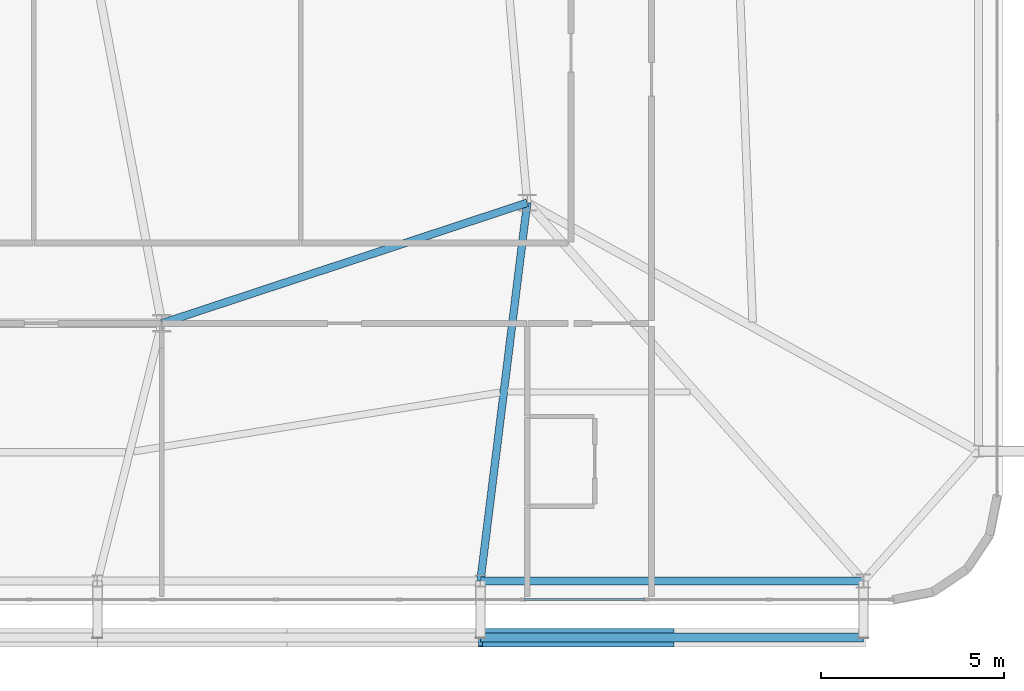
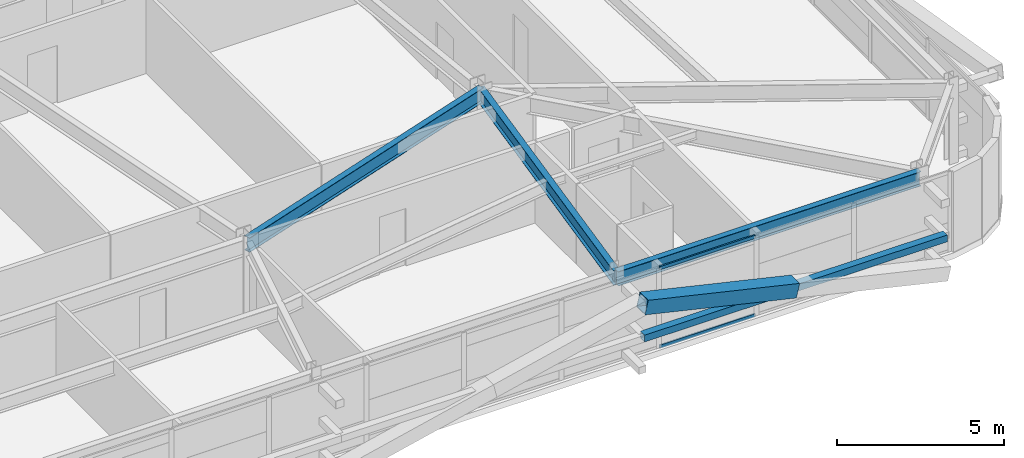
# One storey, part 22 of 58: 4 members, 3 beams, 1 element without a shape of its own.
"""IFC4 building model written with IfcOpenShell, lengths in metres."""

from ifc_helpers import new_model, si_unit, direction, frame, origin, origin_2d, place, context, subcontext, project, spatial, hollow_rectangle, i_section, extrude, source, transform, mapped, material, layer, layer_set, material_profile, profile_set, type_object, element, aggregate, save


model = new_model("IFC4")

# Units and contexts
model_context = context("Model", 3, precision=1e-05, world=origin(), true_north=direction((0.0, 1.0)))
body_context = subcontext(model_context, "Body", "Model", "MODEL_VIEW")
ifc_project = project(units=[si_unit("LENGTHUNIT", "METRE"), si_unit("AREAUNIT", "SQUARE_METRE"), si_unit("VOLUMEUNIT", "CUBIC_METRE"), si_unit("PLANEANGLEUNIT", "RADIAN"), si_unit("MASSUNIT", "GRAM", prefix="KILO")], contexts=[model_context])

# Site, building, storey
site_placement = place(None, origin())
site = spatial("IfcSite", under=ifc_project, at=site_placement, CompositionType="ELEMENT")
building_placement = place(site_placement, origin())
building = spatial("IfcBuilding", under=site, at=building_placement, Name="Taldren Reach Tower", CompositionType="ELEMENT")
storey_placement = place(building_placement, frame((0.0, 0.0, 32.550048828125)))
storey = spatial("IfcBuildingStorey", under=building, at=storey_placement, Name="L09", CompositionType="ELEMENT", Elevation=32.550048828125)

# Beams
ifc_material_1 = material(Name="Steel Gr 350 (350PLUS)", Category="steel")
ifc_material_profile_1 = material_profile(ifc_material_1, i_section(OverallWidth=0.208984375, OverallDepth=0.532958984375, WebThickness=0.01025390625, FlangeThickness=0.015625, at=origin_2d()), Name="530UB92.4")
ifc_profile_set_1 = profile_set([ifc_material_profile_1], Name="Steel Gr 350 (350PLUS)")
beam_type_1 = type_object("IfcBeamType", Name="BM-UB530A", PredefinedType="BEAM", material=ifc_profile_set_1)
shared_shape_1 = source(origin(), body_context, "Body", "SweptSolid", [
    extrude(i_section(OverallWidth=0.208984375, OverallDepth=0.532958984375, WebThickness=0.01025390625, FlangeThickness=0.015625, at=origin_2d()), origin(), (0.0, 0.0, 1.0), 10.530517578125),
])
beam_1_placement = place(storey_placement, frame((42.0, 9.199951171875, 2.663330078125), z_axis=(0.949627269203, 0.313381635689, 0.0), x_axis=(-0.313381635689, 0.949627269203, 0.0)))
element("IfcBeam", 1, at=beam_1_placement, inside=storey, type_object=beam_type_1, Name="Core-spine girder L09-SP12", PredefinedType="BEAM", context=body_context, shape_type="MappedRepresentation", body=[
    mapped(shared_shape_1, transform((0.0, 0.0, 0.0), scale=1.0)),
])
ifc_material_profile_2 = material_profile(ifc_material_1, i_section(OverallWidth=0.208984375, OverallDepth=0.528076171875, WebThickness=0.009521484375, FlangeThickness=0.01318359375, at=origin_2d()), Name="530UB82.0")
ifc_profile_set_2 = profile_set([ifc_material_profile_2], Name="Steel Gr 350 (350PLUS)")
beam_type_2 = type_object("IfcBeamType", Name="SP-UB530B", PredefinedType="SPANDREL", material=ifc_profile_set_2)
shared_shape_2 = source(origin(), body_context, "Body", "SweptSolid", [
    extrude(i_section(OverallWidth=0.208984375, OverallDepth=0.528076171875, WebThickness=0.009521484375, FlangeThickness=0.01318359375, at=origin_2d()), origin(), (0.0, 0.0, 1.0), 10.47998046875),
])
beam_2_placement = place(storey_placement, frame((50.719970703125, 2.14990234375, 2.666015625), z_axis=(1.0, 0.0, 0.0), x_axis=(0.0, 1.0, 0.0)))
element("IfcBeam", 2, at=beam_2_placement, inside=storey, type_object=beam_type_2, Name="Perimeter spandrel B1 S5-S6 L09", PredefinedType="SPANDREL", context=body_context, shape_type="MappedRepresentation", body=[
    mapped(shared_shape_2, transform((0.0, 0.0, 0.0), scale=1.0)),
])
shared_shape_3 = source(origin(), body_context, "Body", "SweptSolid", [
    extrude(i_section(OverallWidth=0.208984375, OverallDepth=0.532958984375, WebThickness=0.01025390625, FlangeThickness=0.015625, at=origin_2d()), origin(), (0.0, 0.0, 1.0), 10.428955078125),
])
beam_3_placement = place(storey_placement, frame((52.0, 12.5, 2.663330078125), z_axis=(-0.122738080664, -0.992439098159, 0.0), x_axis=(0.992439098159, -0.122738080664, 0.0)))
element("IfcBeam", 3, at=beam_3_placement, inside=storey, type_object=beam_type_1, Name="Primary floor girder B1-S5 L09", PredefinedType="BEAM", context=body_context, shape_type="MappedRepresentation", body=[
    mapped(shared_shape_3, transform((0.0, 0.0, 0.0), scale=1.0)),
])

# Members
ifc_material_2 = material(Name="Steel Gr 450 (C450L0)", Category="steel")
ifc_material_profile_3 = material_profile(ifc_material_2, hollow_rectangle(XDim=0.510009765625, YDim=0.510009765625, WallThickness=0.02001953125, at=origin_2d()), Name="510x510x20.0SHS")
ifc_profile_set_3 = profile_set([ifc_material_profile_3], Name="Steel Gr 450 (C450L0)")
member_type_1 = type_object("IfcMemberType", Name="MB-EXO508", PredefinedType="BRACE", material=ifc_profile_set_3)
shared_shape_4 = source(origin(), body_context, "Body", "SweptSolid", [
    extrude(hollow_rectangle(XDim=0.510009765625, YDim=0.510009765625, WallThickness=0.02001953125, at=origin_2d()), origin(), (0.0, 0.0, 1.0), 5.37890625),
])
member_1_placement = place(storey_placement, frame((55.9599609375, 0.60009765625, 1.43505859375), z_axis=(-0.974161966843, 0.0, 0.225850531007), x_axis=(0.0, -1.0, 0.0)))
element("IfcMember", 4, at=member_1_placement, inside=storey, type_object=member_type_1, Name="Exoskeleton Diagrid Brace B1-S5 L09", PredefinedType="BRACE", context=body_context, shape_type="MappedRepresentation", body=[
    mapped(shared_shape_4, transform((0.0, 0.0, 0.0), scale=1.0)),
])
ifc_material_3 = material(Name="Steel Gr 350 (C350L0)", Category="steel")
ifc_material_profile_4 = material_profile(ifc_material_3, hollow_rectangle(XDim=0.25, YDim=0.25, WallThickness=0.010009765625, at=origin_2d()), Name="250x250x10.0SHS")
ifc_profile_set_4 = profile_set([ifc_material_profile_4], Name="Steel Gr 350 (C350L0)")
member_type_2 = type_object("IfcMemberType", Name="MB-POST250", PredefinedType="POST", material=ifc_profile_set_4)
shared_shape_5 = source(origin(), body_context, "Body", "SweptSolid", [
    extrude(hollow_rectangle(XDim=0.25, YDim=0.25, WallThickness=0.010009765625, at=origin_2d()), origin(), (0.0, 0.0, 1.0), 10.47998046875),
])
member_2_placement = place(storey_placement, frame((50.719970703125, 0.60009765625, 1.43505859375), z_axis=(1.0, 0.0, 0.0), x_axis=(0.0, 1.0, 0.0)))
element("IfcMember", 5, at=member_2_placement, inside=storey, type_object=member_type_2, Name="Exoskeleton mid-height ring chord B1-S5 L09", PredefinedType="POST", context=body_context, shape_type="MappedRepresentation", body=[
    mapped(shared_shape_5, transform((0.0, 0.0, 0.0), scale=1.0)),
])

# Curtain wall, members
ifc_material_4 = material(Name="Aluminium and Low-E Glass Unitised System", Category="aluminium")
ifc_layer = layer(ifc_material_4, 0.159912109375)
ifc_layer_set = layer_set([ifc_layer], Name="Aluminium and Low-E Glass Unitised System")
curtain_wall_type = type_object("IfcCurtainWallType", Name="CW-SYS-2", PredefinedType="NOTDEFINED", material=ifc_layer_set)
curtain_wall_placement = place(storey_placement, origin())
curtain_wall = element("IfcCurtainWall", 6, at=curtain_wall_placement, inside=storey, type_object=curtain_wall_type, Name="Unitised curtain wall CW-L09-S", PredefinedType="NOTDEFINED")
ifc_material_5 = material(Name="Anodised Aluminium 6063-T6", Category="aluminium")
ifc_material_profile_5 = material_profile(ifc_material_5, hollow_rectangle(XDim=0.054931640625, YDim=0.1201171875, WallThickness=0.0029296875, at=origin_2d()), Name="ALU-120x55x3RHS")
ifc_profile_set_5 = profile_set([ifc_material_profile_5], Name="Anodised Aluminium 6063-T6")
member_type_3 = type_object("IfcMemberType", Name="CW-TRN-135", PredefinedType="USERDEFINED", material=ifc_profile_set_5)
shared_shape_6 = source(origin(), body_context, "Body", "SweptSolid", [
    extrude(hollow_rectangle(XDim=0.054931640625, YDim=0.1201171875, WallThickness=0.0029296875, at=origin_2d()), origin(), (0.0, 0.0, 1.0), 3.31005859375),
])
member_3_placement = place(storey_placement, frame((51.907470703125, 1.639892578125, 0.02734375), z_axis=(1.0, 0.0, 0.0), x_axis=(0.0, 1.0, 0.0)))
member_3 = element("IfcMember", 7, at=member_3_placement, type_object=member_type_3, Name="CW-2 transom 14.1", ObjectType="TRANSOM", PredefinedType="USERDEFINED", context=body_context, shape_type="MappedRepresentation", body=[
    mapped(shared_shape_6, transform((0.0, 0.0, 0.0), scale=1.0)),
])
member_4_placement = place(storey_placement, frame((51.907470703125, 1.639892578125, 2.90234375), z_axis=(1.0, 0.0, 0.0), x_axis=(0.0, 1.0, 0.0)))
member_4 = element("IfcMember", 8, at=member_4_placement, type_object=member_type_3, Name="CW-2 transom 14.2", ObjectType="TRANSOM", PredefinedType="USERDEFINED", context=body_context, shape_type="MappedRepresentation", body=[
    mapped(shared_shape_6, transform((0.0, 0.0, 0.0), scale=1.0)),
])
aggregate(curtain_wall, [member_3, member_4])

save(model, "model.ifc")
